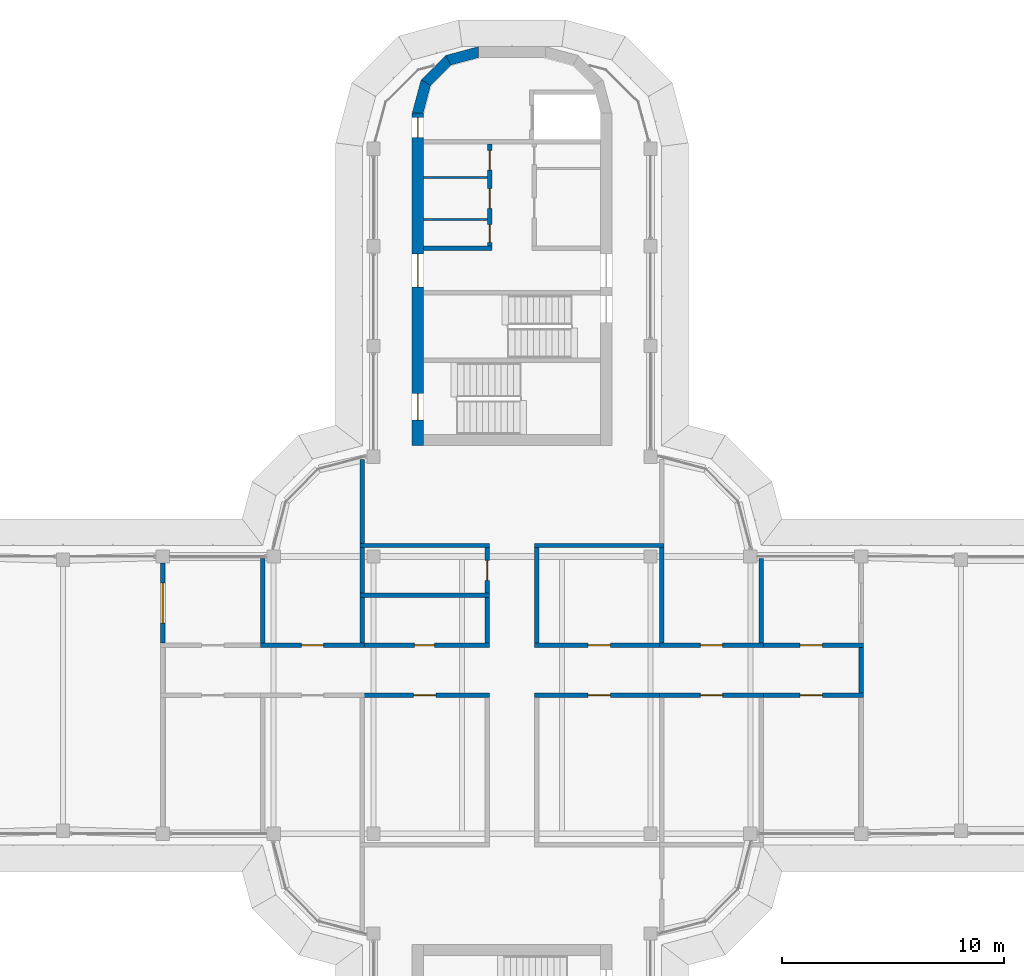
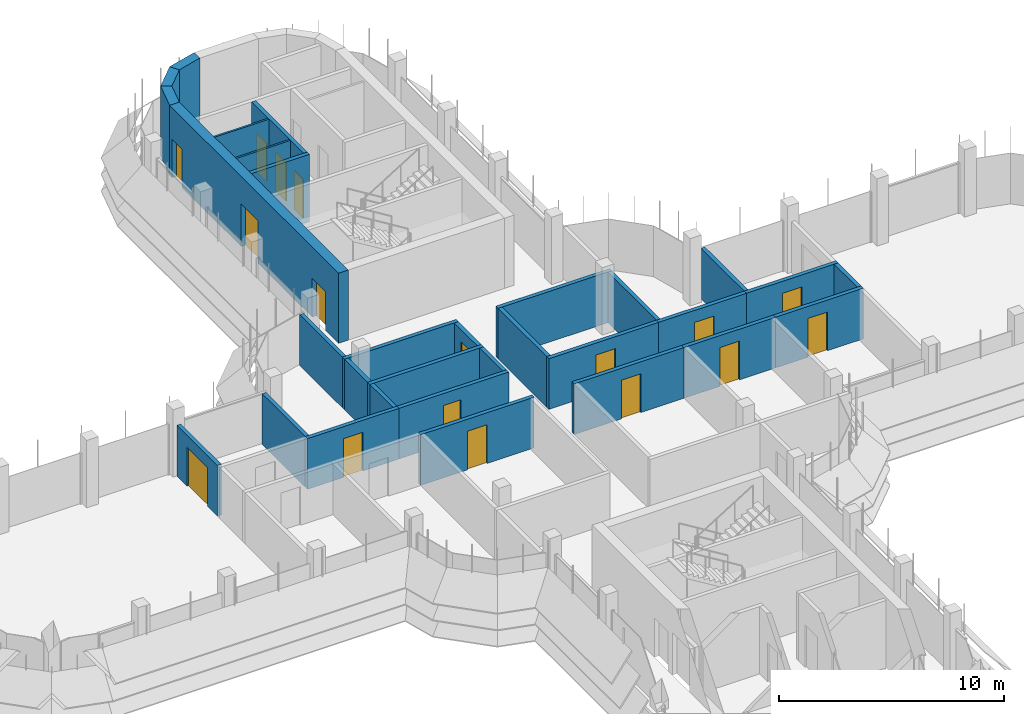
# One storey, part 14 of 19: 31 walls, 17 doors, 17 openings.
"""IFC4 building model written with IfcOpenShell, lengths in metres."""

from ifc_helpers import new_model, si_unit, direction, frame, frame_2d, origin, place, context, subcontext, project, spatial, polyline, rectangle, outline, extrude, material, layer, layer_set, type_object, element, fill, save


model = new_model("IFC4")

# Units and contexts
model_context = context("Model", 3, precision=1e-05, world=origin(), true_north=direction((0.0, 1.0)))
body_context = subcontext(model_context, "Body", "Model", "MODEL_VIEW")
ifc_project = project(units=[si_unit("LENGTHUNIT", "METRE"), si_unit("AREAUNIT", "SQUARE_METRE"), si_unit("VOLUMEUNIT", "CUBIC_METRE"), si_unit("PLANEANGLEUNIT", "RADIAN"), si_unit("MASSUNIT", "GRAM", prefix="KILO")], contexts=[model_context])

# Site, building, storey
site_placement = place(None, origin())
site = spatial("IfcSite", under=ifc_project, at=site_placement, CompositionType="ELEMENT")
building_placement = place(site_placement, origin())
building = spatial("IfcBuilding", under=site, at=building_placement, Name="Zarbagh Exchange Tower", CompositionType="ELEMENT")
storey_placement = place(building_placement, frame((0.0, 0.0, 253.60009765625)))
storey = spatial("IfcBuildingStorey", under=building, at=storey_placement, Name="L62", CompositionType="ELEMENT", Elevation=253.60009765625)

# Walls
ifc_material_1 = material(Name="Dense blockwork", Category="masonry")
ifc_layer_1 = layer(ifc_material_1, 0.10009765625)
ifc_layer_set_1 = layer_set([ifc_layer_1], Name="Core partition 100 mm blockwork")
wall_type_1 = type_object("IfcWallType", Name="Core partition 100 mm blockwork", PredefinedType="PARTITIONING", material=ifc_layer_set_1)
for number, where, z_axis, x_axis, name in (
    (1, (-4.0, 23.35009765625, 0.0), (0.0, 0.0, 1.0), (1.0, 0.0, 0.0), "North core partition wall CUT-W-500"),
    (2, (-4.0, 21.449951171875, 0.0), (0.0, 0.0, 1.0), (1.0, 0.0, 0.0), "North core partition wall CUT-W-690"),
):
    element("IfcWall", number, at=place(storey_placement, frame(where, z_axis=z_axis, x_axis=x_axis)), inside=storey, type_object=wall_type_1, Name=name, PredefinedType="PARTITIONING", context=body_context, shape_type="SweptSolid", body=[
        extrude(rectangle(XDim=2.89990234375, YDim=0.10009765625, at=frame_2d((1.449951171875, 0.0))), origin(), (0.0, 0.0, 1.0), 3.64990234375),
    ])

# Wall, opening, door
ifc_material_2 = material(Name="Fire-rated plasterboard partition")
ifc_layer_2 = layer(ifc_material_2, 0.199951171875)
ifc_layer_set_2 = layer_set([ifc_layer_2], Name="RATED PARTITION 200")
wall_type_2 = type_object("IfcWallType", Name="RATED PARTITION 200", PredefinedType="PARTITIONING", material=ifc_layer_set_2)
wall_1_placement = place(storey_placement, frame((1.02490234375, 2.25, 0.0), z_axis=(0.0, 0.0, 1.0), x_axis=(1.0, 0.0, 0.0)))
wall_1 = element("IfcWall", 3, at=wall_1_placement, inside=storey, type_object=wall_type_2, Name="Partition W-2701", PredefinedType="PARTITIONING", context=body_context, shape_type="SweptSolid", body=[
    extrude(rectangle(XDim=5.8251953125, YDim=0.199951171875, at=frame_2d((2.91259765625, 0.0))), origin(), (0.0, 0.0, 1.0), 2.75),
])
opening_1_placement = place(wall_1_placement, frame((2.41259765625, 0.0, 0.0)))
opening_1 = element("IfcOpeningElement", 4, at=opening_1_placement, cuts=wall_1, Name="Opening D-2704", PredefinedType="OPENING", context=body_context, shape_type="SweptSolid", body=[
    extrude(rectangle(XDim=1.0, YDim=2.10009765625, at=frame_2d((0.5, 1.050048828125))), frame((0.0, 0.10986328125, 0.0), z_axis=(0.0, -1.0, 0.0), x_axis=(1.0, 0.0, 0.0)), (0.0, 0.0, 1.0), 0.219970703125),
])
ifc_material_3 = material(Name="Steel door set", Category="steel")
door_type_1 = type_object("IfcDoorType", Name="FIRE DOOR 1000 X 2100 FD30S", OperationType="NOTDEFINED", PredefinedType="DOOR", material=ifc_material_3)
door_1_placement = place(opening_1_placement, origin())
door_1 = element("IfcDoor", 5, at=door_1_placement, inside=storey, type_object=door_type_1, Name="Door D-2704", OperationType="SINGLE_SWING_RIGHT", OverallHeight=2.10009765625, OverallWidth=1.0, PredefinedType="DOOR", context=body_context, shape_type="SweptSolid", body=[
    extrude(rectangle(XDim=1.0, YDim=2.10009765625, at=frame_2d((0.5, 1.050048828125))), frame((0.0, 0.02490234375, 0.0), z_axis=(0.0, -1.0, 0.0), x_axis=(1.0, 0.0, 0.0)), (0.0, 0.0, 1.0), 0.050048828125),
])
fill(opening_1, door_1)

wall_2_placement = place(storey_placement, frame((6.64990234375, 2.25, 0.0), z_axis=(0.0, 0.0, 1.0), x_axis=(1.0, 0.0, 0.0)))
wall_2 = element("IfcWall", 6, at=wall_2_placement, inside=storey, type_object=wall_type_2, Name="Partition W-2702", PredefinedType="PARTITIONING", context=body_context, shape_type="SweptSolid", body=[
    extrude(rectangle(XDim=4.7001953125, YDim=0.199951171875, at=frame_2d((2.35009765625, 0.0))), origin(), (0.0, 0.0, 1.0), 2.75),
])
opening_2_placement = place(wall_2_placement, frame((1.85009765625, 0.0, 0.0)))
opening_2 = element("IfcOpeningElement", 7, at=opening_2_placement, cuts=wall_2, Name="Opening D-2705", PredefinedType="OPENING", context=body_context, shape_type="SweptSolid", body=[
    extrude(rectangle(XDim=1.0, YDim=2.10009765625, at=frame_2d((0.5, 1.050048828125))), frame((0.0, 0.10986328125, 0.0), z_axis=(0.0, -1.0, 0.0), x_axis=(1.0, 0.0, 0.0)), (0.0, 0.0, 1.0), 0.219970703125),
])
door_2_placement = place(opening_2_placement, origin())
door_2 = element("IfcDoor", 8, at=door_2_placement, inside=storey, type_object=door_type_1, Name="Door D-2705", OperationType="SINGLE_SWING_RIGHT", OverallHeight=2.10009765625, OverallWidth=1.0, PredefinedType="DOOR", context=body_context, shape_type="SweptSolid", body=[
    extrude(rectangle(XDim=1.0, YDim=2.10009765625, at=frame_2d((0.5, 1.050048828125))), frame((0.0, 0.02490234375, 0.0), z_axis=(0.0, -1.0, 0.0), x_axis=(1.0, 0.0, 0.0)), (0.0, 0.0, 1.0), 0.050048828125),
])
fill(opening_2, door_2)

wall_3_placement = place(storey_placement, frame((-6.85009765625, 2.25, 0.0), z_axis=(0.0, 0.0, 1.0), x_axis=(1.0, 0.0, 0.0)))
wall_3 = element("IfcWall", 9, at=wall_3_placement, inside=storey, type_object=wall_type_2, Name="Partition W-2703", PredefinedType="PARTITIONING", context=body_context, shape_type="SweptSolid", body=[
    extrude(rectangle(XDim=5.8251953125, YDim=0.199951171875, at=frame_2d((2.91259765625, 0.0))), origin(), (0.0, 0.0, 1.0), 2.75),
])
opening_3_placement = place(wall_3_placement, frame((2.46240234375, 0.0, 0.0)))
opening_3 = element("IfcOpeningElement", 10, at=opening_3_placement, cuts=wall_3, Name="Opening D-2706", PredefinedType="OPENING", context=body_context, shape_type="SweptSolid", body=[
    extrude(rectangle(XDim=0.89990234375, YDim=2.10009765625, at=frame_2d((0.449951171875, 1.050048828125))), frame((0.0, 0.10986328125, 0.0), z_axis=(0.0, -1.0, 0.0), x_axis=(1.0, 0.0, 0.0)), (0.0, 0.0, 1.0), 0.219970703125),
])
ifc_material_4 = material(Name="Timber door leaf", Category="wood")
door_type_2 = type_object("IfcDoorType", Name="DOOR 900 X 2100", OperationType="NOTDEFINED", PredefinedType="DOOR", material=ifc_material_4)
door_3_placement = place(opening_3_placement, origin())
door_3 = element("IfcDoor", 11, at=door_3_placement, inside=storey, type_object=door_type_2, Name="Door D-2706", OperationType="SINGLE_SWING_RIGHT", OverallHeight=2.10009765625, OverallWidth=0.89990234375, PredefinedType="DOOR", context=body_context, shape_type="SweptSolid", body=[
    extrude(rectangle(XDim=0.89990234375, YDim=2.10009765625, at=frame_2d((0.449951171875, 1.050048828125))), frame((0.0, 0.02490234375, 0.0), z_axis=(0.0, -1.0, 0.0), x_axis=(1.0, 0.0, 0.0)), (0.0, 0.0, 1.0), 0.050048828125),
])
fill(opening_3, door_3)

wall_4_placement = place(storey_placement, frame((-11.35009765625, 2.25, 0.0), z_axis=(0.0, 0.0, 1.0), x_axis=(1.0, 0.0, 0.0)))
wall_4 = element("IfcWall", 12, at=wall_4_placement, inside=storey, type_object=wall_type_2, Name="Partition W-2704", PredefinedType="PARTITIONING", context=body_context, shape_type="SweptSolid", body=[
    extrude(rectangle(XDim=4.7001953125, YDim=0.199951171875, at=frame_2d((2.35009765625, 0.0))), origin(), (0.0, 0.0, 1.0), 2.75),
])
opening_4_placement = place(wall_4_placement, frame((1.85009765625, 0.0, 0.0)))
opening_4 = element("IfcOpeningElement", 13, at=opening_4_placement, cuts=wall_4, Name="Opening D-2708", PredefinedType="OPENING", context=body_context, shape_type="SweptSolid", body=[
    extrude(rectangle(XDim=1.0, YDim=2.10009765625, at=frame_2d((0.5, 1.050048828125))), frame((0.0, 0.10986328125, 0.0), z_axis=(0.0, -1.0, 0.0), x_axis=(1.0, 0.0, 0.0)), (0.0, 0.0, 1.0), 0.219970703125),
])
door_4_placement = place(opening_4_placement, origin())
door_4 = element("IfcDoor", 14, at=door_4_placement, inside=storey, type_object=door_type_1, Name="Door D-2708", OperationType="SINGLE_SWING_RIGHT", OverallHeight=2.10009765625, OverallWidth=1.0, PredefinedType="DOOR", context=body_context, shape_type="SweptSolid", body=[
    extrude(rectangle(XDim=1.0, YDim=2.10009765625, at=frame_2d((0.5, 1.050048828125))), frame((0.0, 0.02490234375, 0.0), z_axis=(0.0, -1.0, 0.0), x_axis=(1.0, 0.0, 0.0)), (0.0, 0.0, 1.0), 0.050048828125),
])
fill(opening_4, door_4)

wall_5_placement = place(storey_placement, frame((6.85009765625, 0.0, 0.0), z_axis=(0.0, 0.0, 1.0), x_axis=(-1.0, 0.0, 0.0)))
wall_5 = element("IfcWall", 15, at=wall_5_placement, inside=storey, type_object=wall_type_2, Name="Partition W-2705", PredefinedType="PARTITIONING", context=body_context, shape_type="SweptSolid", body=[
    extrude(rectangle(XDim=5.8251953125, YDim=0.199951171875, at=frame_2d((2.91259765625, 0.0))), origin(), (0.0, 0.0, 1.0), 2.75),
])
opening_5_placement = place(wall_5_placement, frame((2.41259765625, 0.0, 0.0)))
opening_5 = element("IfcOpeningElement", 16, at=opening_5_placement, cuts=wall_5, Name="Opening D-2709", PredefinedType="OPENING", context=body_context, shape_type="SweptSolid", body=[
    extrude(rectangle(XDim=1.0, YDim=2.10009765625, at=frame_2d((0.5, 1.050048828125))), frame((0.0, 0.10986328125, 0.0), z_axis=(0.0, -1.0, 0.0), x_axis=(1.0, 0.0, 0.0)), (0.0, 0.0, 1.0), 0.219970703125),
])
door_5_placement = place(opening_5_placement, origin())
door_5 = element("IfcDoor", 17, at=door_5_placement, inside=storey, type_object=door_type_1, Name="Door D-2709", OperationType="SINGLE_SWING_RIGHT", OverallHeight=2.10009765625, OverallWidth=1.0, PredefinedType="DOOR", context=body_context, shape_type="SweptSolid", body=[
    extrude(rectangle(XDim=1.0, YDim=2.10009765625, at=frame_2d((0.5, 1.050048828125))), frame((0.0, 0.02490234375, 0.0), z_axis=(0.0, -1.0, 0.0), x_axis=(1.0, 0.0, 0.0)), (0.0, 0.0, 1.0), 0.050048828125),
])
fill(opening_5, door_5)

wall_6_placement = place(storey_placement, frame((11.35009765625, 0.0, 0.0), z_axis=(0.0, 0.0, 1.0), x_axis=(-1.0, 0.0, 0.0)))
wall_6 = element("IfcWall", 18, at=wall_6_placement, inside=storey, type_object=wall_type_2, Name="Partition W-2706", PredefinedType="PARTITIONING", context=body_context, shape_type="SweptSolid", body=[
    extrude(rectangle(XDim=4.7001953125, YDim=0.199951171875, at=frame_2d((2.35009765625, 0.0))), origin(), (0.0, 0.0, 1.0), 2.75),
])
opening_6_placement = place(wall_6_placement, frame((1.85009765625, 0.0, 0.0)))
opening_6 = element("IfcOpeningElement", 19, at=opening_6_placement, cuts=wall_6, Name="Opening D-2710", PredefinedType="OPENING", context=body_context, shape_type="SweptSolid", body=[
    extrude(rectangle(XDim=1.0, YDim=2.10009765625, at=frame_2d((0.5, 1.050048828125))), frame((0.0, 0.10986328125, 0.0), z_axis=(0.0, -1.0, 0.0), x_axis=(1.0, 0.0, 0.0)), (0.0, 0.0, 1.0), 0.219970703125),
])
door_6_placement = place(opening_6_placement, origin())
door_6 = element("IfcDoor", 20, at=door_6_placement, inside=storey, type_object=door_type_1, Name="Door D-2710", OperationType="SINGLE_SWING_RIGHT", OverallHeight=2.10009765625, OverallWidth=1.0, PredefinedType="DOOR", context=body_context, shape_type="SweptSolid", body=[
    extrude(rectangle(XDim=1.0, YDim=2.10009765625, at=frame_2d((0.5, 1.050048828125))), frame((0.0, 0.02490234375, 0.0), z_axis=(0.0, -1.0, 0.0), x_axis=(1.0, 0.0, 0.0)), (0.0, 0.0, 1.0), 0.050048828125),
])
fill(opening_6, door_6)

wall_7_placement = place(storey_placement, frame((-1.02490234375, 0.0, 0.0), z_axis=(0.0, 0.0, 1.0), x_axis=(-1.0, 0.0, 0.0)))
wall_7 = element("IfcWall", 21, at=wall_7_placement, inside=storey, type_object=wall_type_2, Name="Partition W-2707", PredefinedType="PARTITIONING", context=body_context, shape_type="SweptSolid", body=[
    extrude(rectangle(XDim=5.8251953125, YDim=0.199951171875, at=frame_2d((2.91259765625, 0.0))), origin(), (0.0, 0.0, 1.0), 2.75),
])
opening_7_placement = place(wall_7_placement, frame((2.41259765625, 0.0, 0.0)))
opening_7 = element("IfcOpeningElement", 22, at=opening_7_placement, cuts=wall_7, Name="Opening D-2712", PredefinedType="OPENING", context=body_context, shape_type="SweptSolid", body=[
    extrude(rectangle(XDim=1.0, YDim=2.10009765625, at=frame_2d((0.5, 1.050048828125))), frame((0.0, 0.10986328125, 0.0), z_axis=(0.0, -1.0, 0.0), x_axis=(1.0, 0.0, 0.0)), (0.0, 0.0, 1.0), 0.219970703125),
])
door_7_placement = place(opening_7_placement, origin())
door_7 = element("IfcDoor", 23, at=door_7_placement, inside=storey, type_object=door_type_1, Name="Door D-2712", OperationType="SINGLE_SWING_RIGHT", OverallHeight=2.10009765625, OverallWidth=1.0, PredefinedType="DOOR", context=body_context, shape_type="SweptSolid", body=[
    extrude(rectangle(XDim=1.0, YDim=2.10009765625, at=frame_2d((0.5, 1.050048828125))), frame((0.0, 0.02490234375, 0.0), z_axis=(0.0, -1.0, 0.0), x_axis=(1.0, 0.0, 0.0)), (0.0, 0.0, 1.0), 0.050048828125),
])
fill(opening_7, door_7)

wall_8_placement = place(storey_placement, frame((11.14990234375, 2.25, 0.0), z_axis=(0.0, 0.0, 1.0), x_axis=(1.0, 0.0, 0.0)))
wall_8 = element("IfcWall", 24, at=wall_8_placement, inside=storey, type_object=wall_type_2, Name="Partition W-2709", PredefinedType="PARTITIONING", context=body_context, shape_type="SweptSolid", body=[
    extrude(rectangle(XDim=4.7001953125, YDim=0.199951171875, at=frame_2d((2.35009765625, 0.0))), origin(), (0.0, 0.0, 1.0), 2.75),
])
opening_8_placement = place(wall_8_placement, frame((1.85009765625, 0.0, 0.0)))
opening_8 = element("IfcOpeningElement", 25, at=opening_8_placement, cuts=wall_8, Name="Opening D-2702", PredefinedType="OPENING", context=body_context, shape_type="SweptSolid", body=[
    extrude(rectangle(XDim=1.0, YDim=2.10009765625, at=frame_2d((0.5, 1.050048828125))), frame((0.0, 0.10986328125, 0.0), z_axis=(0.0, -1.0, 0.0), x_axis=(1.0, 0.0, 0.0)), (0.0, 0.0, 1.0), 0.219970703125),
])
door_8_placement = place(opening_8_placement, origin())
door_8 = element("IfcDoor", 26, at=door_8_placement, inside=storey, type_object=door_type_1, Name="Door D-2702", OperationType="SINGLE_SWING_RIGHT", OverallHeight=2.10009765625, OverallWidth=1.0, PredefinedType="DOOR", context=body_context, shape_type="SweptSolid", body=[
    extrude(rectangle(XDim=1.0, YDim=2.10009765625, at=frame_2d((0.5, 1.050048828125))), frame((0.0, 0.02490234375, 0.0), z_axis=(0.0, -1.0, 0.0), x_axis=(1.0, 0.0, 0.0)), (0.0, 0.0, 1.0), 0.050048828125),
])
fill(opening_8, door_8)

wall_9_placement = place(storey_placement, frame((15.85009765625, 0.0, 0.0), z_axis=(0.0, 0.0, 1.0), x_axis=(-1.0, 0.0, 0.0)))
wall_9 = element("IfcWall", 27, at=wall_9_placement, inside=storey, type_object=wall_type_2, Name="Partition W-2710", PredefinedType="PARTITIONING", context=body_context, shape_type="SweptSolid", body=[
    extrude(rectangle(XDim=4.7001953125, YDim=0.199951171875, at=frame_2d((2.35009765625, 0.0))), origin(), (0.0, 0.0, 1.0), 2.75),
])
opening_9_placement = place(wall_9_placement, frame((1.85009765625, 0.0, 0.0)))
opening_9 = element("IfcOpeningElement", 28, at=opening_9_placement, cuts=wall_9, Name="Opening D-2703", PredefinedType="OPENING", context=body_context, shape_type="SweptSolid", body=[
    extrude(rectangle(XDim=1.0, YDim=2.10009765625, at=frame_2d((0.5, 1.050048828125))), frame((0.0, 0.10986328125, 0.0), z_axis=(0.0, -1.0, 0.0), x_axis=(1.0, 0.0, 0.0)), (0.0, 0.0, 1.0), 0.219970703125),
])
door_9_placement = place(opening_9_placement, origin())
door_9 = element("IfcDoor", 29, at=door_9_placement, inside=storey, type_object=door_type_1, Name="Door D-2703", OperationType="SINGLE_SWING_RIGHT", OverallHeight=2.10009765625, OverallWidth=1.0, PredefinedType="DOOR", context=body_context, shape_type="SweptSolid", body=[
    extrude(rectangle(XDim=1.0, YDim=2.10009765625, at=frame_2d((0.5, 1.050048828125))), frame((0.0, 0.02490234375, 0.0), z_axis=(0.0, -1.0, 0.0), x_axis=(1.0, 0.0, 0.0)), (0.0, 0.0, 1.0), 0.050048828125),
])
fill(opening_9, door_9)

# Walls
wall_10_placement = place(storey_placement, frame((15.75, 0.10009765625, 0.0), z_axis=(0.0, 0.0, 1.0), x_axis=(0.0, 1.0, 0.0)))
element("IfcWall", 30, at=wall_10_placement, inside=storey, type_object=wall_type_2, Name="Partition W-2711", PredefinedType="PARTITIONING", context=body_context, shape_type="SweptSolid", body=[
    extrude(rectangle(XDim=2.0498046875, YDim=0.199951171875, at=frame_2d((1.02490234375, 0.0))), origin(), (0.0, 0.0, 1.0), 2.75),
])
wall_11_placement = place(storey_placement, frame((1.125, 2.35009765625, 0.0), z_axis=(0.0, 0.0, 1.0), x_axis=(0.0, 1.0, 0.0)))
element("IfcWall", 31, at=wall_11_placement, inside=storey, type_object=wall_type_2, Name="Partition W-2715", PredefinedType="PARTITIONING", context=body_context, shape_type="SweptSolid", body=[
    extrude(rectangle(XDim=4.2998046875, YDim=0.199951171875, at=frame_2d((2.14990234375, 0.0))), origin(), (0.0, 0.0, 1.0), 2.75),
])
wall_12_placement = place(storey_placement, frame((-1.125, 2.35009765625, 0.0), z_axis=(0.0, 0.0, 1.0), x_axis=(0.0, 1.0, 0.0)))
element("IfcWall", 32, at=wall_12_placement, inside=storey, type_object=wall_type_2, Name="Partition W-2716", PredefinedType="PARTITIONING", context=body_context, shape_type="SweptSolid", body=[
    extrude(rectangle(XDim=2.0498046875, YDim=0.199951171875, at=frame_2d((1.02490234375, 0.0))), origin(), (0.0, 0.0, 1.0), 2.75),
])

# Wall, opening, door
wall_13_placement = place(storey_placement, frame((-1.125, 4.60009765625, 0.0), z_axis=(0.0, 0.0, 1.0), x_axis=(0.0, 1.0, 0.0)))
wall_13 = element("IfcWall", 33, at=wall_13_placement, inside=storey, type_object=wall_type_2, Name="Partition W-2717", PredefinedType="PARTITIONING", context=body_context, shape_type="SweptSolid", body=[
    extrude(rectangle(XDim=2.0498046875, YDim=0.199951171875, at=frame_2d((1.02490234375, 0.0))), origin(), (0.0, 0.0, 1.0), 2.75),
])
opening_10_placement = place(wall_13_placement, frame((0.574951171875, 0.0, 0.0)))
opening_10 = element("IfcOpeningElement", 34, at=opening_10_placement, cuts=wall_13, Name="Opening D-2707", PredefinedType="OPENING", context=body_context, shape_type="SweptSolid", body=[
    extrude(rectangle(XDim=0.89990234375, YDim=2.10009765625, at=frame_2d((0.449951171875, 1.050048828125))), frame((0.0, 0.10986328125, 0.0), z_axis=(0.0, -1.0, 0.0), x_axis=(1.0, 0.0, 0.0)), (0.0, 0.0, 1.0), 0.219970703125),
])
door_10_placement = place(opening_10_placement, origin())
door_10 = element("IfcDoor", 35, at=door_10_placement, inside=storey, type_object=door_type_2, Name="Door D-2707", OperationType="SINGLE_SWING_RIGHT", OverallHeight=2.10009765625, OverallWidth=0.89990234375, PredefinedType="DOOR", context=body_context, shape_type="SweptSolid", body=[
    extrude(rectangle(XDim=0.89990234375, YDim=2.10009765625, at=frame_2d((0.449951171875, 1.050048828125))), frame((0.0, 0.02490234375, 0.0), z_axis=(0.0, -1.0, 0.0), x_axis=(1.0, 0.0, 0.0)), (0.0, 0.0, 1.0), 0.050048828125),
])
fill(opening_10, door_10)

# Walls
for number, where, z_axis, x_axis, name in (
    (36, (1.02490234375, 6.75, 0.0), (0.0, 0.0, 1.0), (1.0, 0.0, 0.0), "Partition W-2720"),
    (37, (-6.85009765625, 6.75, 0.0), (0.0, 0.0, 1.0), (1.0, 0.0, 0.0), "Partition W-2722"),
):
    element("IfcWall", number, at=place(storey_placement, frame(where, z_axis=z_axis, x_axis=x_axis)), inside=storey, type_object=wall_type_2, Name=name, PredefinedType="PARTITIONING", context=body_context, shape_type="SweptSolid", body=[
        extrude(rectangle(XDim=5.8251953125, YDim=0.199951171875, at=frame_2d((2.91259765625, 0.0))), origin(), (0.0, 0.0, 1.0), 2.75),
    ])
wall_14_placement = place(storey_placement, frame((-6.75, 6.85009765625, 0.0), z_axis=(0.0, 0.0, 1.0), x_axis=(0.0, 1.0, 0.0)))
element("IfcWall", 38, at=wall_14_placement, inside=storey, type_object=wall_type_2, Name="Partition W-2723", PredefinedType="PARTITIONING", context=body_context, shape_type="SweptSolid", body=[
    extrude(rectangle(XDim=3.77978515625, YDim=0.199951171875, at=frame_2d((1.889892578125, 0.0))), origin(), (0.0, 0.0, 1.0), 2.75),
])
wall_15_placement = place(storey_placement, frame((6.75, 2.35009765625, 0.0), z_axis=(0.0, 0.0, 1.0), x_axis=(0.0, 1.0, 0.0)))
element("IfcWall", 39, at=wall_15_placement, inside=storey, type_object=wall_type_2, Name="Partition W-2728", PredefinedType="PARTITIONING", context=body_context, shape_type="SweptSolid", body=[
    extrude(rectangle(XDim=4.2998046875, YDim=0.199951171875, at=frame_2d((2.14990234375, 0.0))), origin(), (0.0, 0.0, 1.0), 2.75),
])
wall_16_placement = place(storey_placement, frame((11.25, 2.35009765625, 0.0), z_axis=(0.0, 0.0, 1.0), x_axis=(0.0, 1.0, 0.0)))
element("IfcWall", 40, at=wall_16_placement, inside=storey, type_object=wall_type_2, Name="Partition W-2729", PredefinedType="PARTITIONING", context=body_context, shape_type="SweptSolid", body=[
    extrude(rectangle(XDim=3.81982421875, YDim=0.199951171875, at=frame_2d((1.909912109375, 0.0))), origin(), (0.0, 0.0, 1.0), 2.75),
])
wall_17_placement = place(storey_placement, frame((-6.85009765625, 4.5, 0.0), z_axis=(0.0, 0.0, 1.0), x_axis=(1.0, 0.0, 0.0)))
element("IfcWall", 41, at=wall_17_placement, inside=storey, type_object=wall_type_2, Name="Partition W-2730", PredefinedType="PARTITIONING", context=body_context, shape_type="SweptSolid", body=[
    extrude(rectangle(XDim=5.8251953125, YDim=0.199951171875, at=frame_2d((2.91259765625, 0.0))), origin(), (0.0, 0.0, 1.0), 2.75),
])
for number, where, z_axis, x_axis, name in (
    (42, (-6.75, 2.35009765625, 0.0), (0.0, 0.0, 1.0), (0.0, 1.0, 0.0), "Partition W-2731"),
    (43, (-6.75, 4.60009765625, 0.0), (0.0, 0.0, 1.0), (0.0, 1.0, 0.0), "Partition W-2732"),
):
    element("IfcWall", number, at=place(storey_placement, frame(where, z_axis=z_axis, x_axis=x_axis)), inside=storey, type_object=wall_type_2, Name=name, PredefinedType="PARTITIONING", context=body_context, shape_type="SweptSolid", body=[
        extrude(rectangle(XDim=2.0498046875, YDim=0.199951171875, at=frame_2d((1.02490234375, 0.0))), origin(), (0.0, 0.0, 1.0), 2.75),
    ])
wall_18_placement = place(storey_placement, frame((-11.25, 2.35009765625, 0.0), z_axis=(0.0, 0.0, 1.0), x_axis=(0.0, 1.0, 0.0)))
element("IfcWall", 44, at=wall_18_placement, inside=storey, type_object=wall_type_2, Name="Partition W-2733", PredefinedType="PARTITIONING", context=body_context, shape_type="SweptSolid", body=[
    extrude(rectangle(XDim=3.81982421875, YDim=0.199951171875, at=frame_2d((1.909912109375, 0.0))), origin(), (0.0, 0.0, 1.0), 2.75),
])

# Wall, opening, door
wall_19_placement = place(storey_placement, frame((-15.75, 2.35009765625, 0.0), z_axis=(0.0, 0.0, 1.0), x_axis=(0.0, 1.0, 0.0)))
wall_19 = element("IfcWall", 45, at=wall_19_placement, inside=storey, type_object=wall_type_2, Name="Partition W-2741", PredefinedType="PARTITIONING", context=body_context, shape_type="SweptSolid", body=[
    extrude(rectangle(XDim=3.599853515625, YDim=0.199951171875, at=frame_2d((1.7998046875, 0.0))), origin(), (0.0, 0.0, 1.0), 2.75),
])
opening_11_placement = place(wall_19_placement, frame((0.89990234375, 0.0, 0.0)))
opening_11 = element("IfcOpeningElement", 46, at=opening_11_placement, cuts=wall_19, Name="Opening D-2714", PredefinedType="OPENING", context=body_context, shape_type="SweptSolid", body=[
    extrude(rectangle(XDim=1.800048828125, YDim=2.10009765625, at=frame_2d((0.89990234375, 1.050048828125))), frame((0.0, 0.10986328125, 0.0), z_axis=(0.0, -1.0, 0.0), x_axis=(1.0, 0.0, 0.0)), (0.0, 0.0, 1.0), 0.219970703125),
])
door_type_3 = type_object("IfcDoorType", Name="FIRE DOUBLE DOOR 1800 X 2100 FD30S", OperationType="DOUBLE_DOOR_SINGLE_SWING", PredefinedType="DOOR", material=ifc_material_3)
door_11_placement = place(opening_11_placement, origin())
door_11 = element("IfcDoor", 47, at=door_11_placement, inside=storey, type_object=door_type_3, Name="Door D-2714", OperationType="DOUBLE_DOOR_SINGLE_SWING", OverallHeight=2.10009765625, OverallWidth=1.800048828125, PredefinedType="DOOR", context=body_context, shape_type="SweptSolid", body=[
    extrude(rectangle(XDim=1.800048828125, YDim=2.10009765625, at=frame_2d((0.89990234375, 1.050048828125))), frame((0.0, 0.02490234375, 0.0), z_axis=(0.0, -1.0, 0.0), x_axis=(1.0, 0.0, 0.0)), (0.0, 0.0, 1.0), 0.050048828125),
])
fill(opening_11, door_11)

# Walls
ifc_material_5 = material(Name="Concrete C40/50", Category="concrete")
ifc_layer_3 = layer(ifc_material_5, 0.5)
ifc_layer_set_3 = layer_set([ifc_layer_3], Name="RC core corner wall 500 C40/50")
wall_type_3 = type_object("IfcWallType", Name="RC core corner wall 500 C40/50", PredefinedType="SHEAR", material=ifc_layer_set_3)
wall_20_placement = place(storey_placement, origin())
element("IfcWall", 48, at=wall_20_placement, inside=storey, type_object=wall_type_3, Name="CW10 core N corner W", PredefinedType="SHEAR", context=body_context, shape_type="SweptSolid", body=[
    extrude(outline(polyline([(-4.5, 26.25), (-4.09814453125, 27.75), (-3.6650390625, 27.5), (-4.0, 26.25), (-4.5, 26.25)])), origin(), (0.0, 0.0, 1.0), 3.7998046875),
])
wall_21_placement = place(storey_placement, origin())
element("IfcWall", 49, at=wall_21_placement, inside=storey, type_object=wall_type_3, Name="CW10 core N corner W", PredefinedType="SHEAR", context=body_context, shape_type="SweptSolid", body=[
    extrude(outline(polyline([(-4.09814453125, 27.75), (-3.0, 28.84814453125), (-2.75, 28.4150390625), (-3.6650390625, 27.5), (-4.09814453125, 27.75)])), origin(), (0.0, 0.0, 1.0), 3.7998046875),
])
wall_22_placement = place(storey_placement, origin())
element("IfcWall", 50, at=wall_22_placement, inside=storey, type_object=wall_type_3, Name="CW10 core N corner W", PredefinedType="SHEAR", context=body_context, shape_type="SweptSolid", body=[
    extrude(outline(polyline([(-3.0, 28.84814453125), (-1.5, 29.25), (-1.5, 28.75), (-2.75, 28.4150390625), (-3.0, 28.84814453125)])), origin(), (0.0, 0.0, 1.0), 3.7998046875),
])

# Wall, openings, doors
ifc_layer_4 = layer(ifc_material_5, 0.5)
ifc_layer_set_4 = layer_set([ifc_layer_4], Name="RC core wall 500 C40/50")
wall_type_4 = type_object("IfcWallType", Name="RC core wall 500 C40/50", PredefinedType="SHEAR", material=ifc_layer_set_4)
wall_23_placement = place(storey_placement, frame((-4.25, 11.25, 0.0), z_axis=(0.0, 0.0, 1.0), x_axis=(0.0, 1.0, 0.0)))
wall_23 = element("IfcWall", 51, at=wall_23_placement, inside=storey, type_object=wall_type_4, Name="CW9 core N W", PredefinedType="SHEAR", context=body_context, shape_type="SweptSolid", body=[
    extrude(rectangle(XDim=15.0, YDim=0.5, at=frame_2d((7.5, 0.0))), origin(), (0.0, 0.0, 1.0), 3.7998046875),
])
opening_12_placement = place(wall_23_placement, frame((7.14990234375, 0.0, 0.0)))
opening_12 = element("IfcOpeningElement", 52, at=opening_12_placement, cuts=wall_23, Name="Opening CD1-1500", PredefinedType="OPENING", context=body_context, shape_type="SweptSolid", body=[
    extrude(rectangle(XDim=1.5, YDim=2.300048828125, at=frame_2d((0.75, 1.14990234375))), frame((0.0, 0.260009765625, 0.0), z_axis=(0.0, -1.0, 0.0), x_axis=(1.0, 0.0, 0.0)), (0.0, 0.0, 1.0), 0.52001953125),
])
opening_13_placement = place(wall_23_placement, frame((13.89990234375, 0.0, 0.0)))
opening_13 = element("IfcOpeningElement", 53, at=opening_13_placement, cuts=wall_23, Name="Opening CD2-900", PredefinedType="OPENING", context=body_context, shape_type="SweptSolid", body=[
    extrude(rectangle(XDim=0.89990234375, YDim=2.10009765625, at=frame_2d((0.449951171875, 1.050048828125))), frame((0.0, 0.260009765625, 0.0), z_axis=(0.0, -1.0, 0.0), x_axis=(1.0, 0.0, 0.0)), (0.0, 0.0, 1.0), 0.52001953125),
])
opening_14_placement = place(wall_23_placement, frame((1.14990234375, 0.0, 0.0)))
opening_14 = element("IfcOpeningElement", 54, at=opening_14_placement, cuts=wall_23, Name="Opening SD1-1200", PredefinedType="OPENING", context=body_context, shape_type="SweptSolid", body=[
    extrude(rectangle(XDim=1.199951171875, YDim=2.10009765625, at=frame_2d((0.60009765625, 1.050048828125))), frame((0.0, 0.260009765625, 0.0), z_axis=(0.0, -1.0, 0.0), x_axis=(1.0, 0.0, 0.0)), (0.0, 0.0, 1.0), 0.52001953125),
])
ifc_material_6 = material(Name="Steel", Category="steel")
door_type_4 = type_object("IfcDoorType", Name="Exit stair door 1200 x 2100", OperationType="NOTDEFINED", PredefinedType="DOOR", material=ifc_material_6)
door_12_placement = place(opening_14_placement, origin())
door_12 = element("IfcDoor", 55, at=door_12_placement, inside=storey, type_object=door_type_4, Name="North core stair door ST2", OperationType="SINGLE_SWING_RIGHT", OverallHeight=2.10009765625, OverallWidth=1.199951171875, PredefinedType="DOOR", context=body_context, shape_type="SweptSolid", body=[
    extrude(rectangle(XDim=1.199951171875, YDim=2.10009765625, at=frame_2d((0.60009765625, 1.050048828125))), frame((0.0, 0.02490234375, 0.0), z_axis=(0.0, -1.0, 0.0), x_axis=(1.0, 0.0, 0.0)), (0.0, 0.0, 1.0), 0.050048828125),
])
fill(opening_14, door_12)
door_type_5 = type_object("IfcDoorType", Name="Firefighting lobby door 900 x 2100", OperationType="NOTDEFINED", PredefinedType="DOOR", material=ifc_material_6)
door_13_placement = place(opening_13_placement, origin())
door_13 = element("IfcDoor", 56, at=door_13_placement, inside=storey, type_object=door_type_5, Name="North core firefighting lobby door FF-W", OperationType="SINGLE_SWING_LEFT", OverallHeight=2.10009765625, OverallWidth=0.89990234375, PredefinedType="DOOR", context=body_context, shape_type="SweptSolid", body=[
    extrude(rectangle(XDim=0.89990234375, YDim=2.10009765625, at=frame_2d((0.449951171875, 1.050048828125))), frame((0.0, 0.02490234375, 0.0), z_axis=(0.0, -1.0, 0.0), x_axis=(1.0, 0.0, 0.0)), (0.0, 0.0, 1.0), 0.050048828125),
])
fill(opening_13, door_13)
door_type_6 = type_object("IfcDoorType", Name="Lift lobby double door 1500 x 2300", OperationType="NOTDEFINED", PredefinedType="DOOR", material=ifc_material_6)
door_14_placement = place(opening_12_placement, origin())
door_14 = element("IfcDoor", 57, at=door_14_placement, inside=storey, type_object=door_type_6, Name="North core lift lobby door LOBBY-W", OperationType="DOUBLE_DOOR_SINGLE_SWING", OverallHeight=2.300048828125, OverallWidth=1.5, PredefinedType="DOOR", context=body_context, shape_type="SweptSolid", body=[
    extrude(rectangle(XDim=1.5, YDim=2.300048828125, at=frame_2d((0.75, 1.14990234375))), frame((0.0, 0.02490234375, 0.0), z_axis=(0.0, -1.0, 0.0), x_axis=(1.0, 0.0, 0.0)), (0.0, 0.0, 1.0), 0.050048828125),
])
fill(opening_12, door_14)

# Wall
ifc_layer_5 = layer(ifc_material_1, 0.199951171875)
ifc_layer_set_5 = layer_set([ifc_layer_5], Name="Shaft wall 200 mm blockwork")
wall_type_5 = type_object("IfcWallType", Name="Shaft wall 200 mm blockwork", PredefinedType="PARTITIONING", material=ifc_layer_set_5)
wall_24_placement = place(storey_placement, frame((-4.0, 20.14990234375, 0.0), z_axis=(0.0, 0.0, 1.0), x_axis=(1.0, 0.0, 0.0)))
element("IfcWall", 58, at=wall_24_placement, inside=storey, type_object=wall_type_5, Name="North core shaft wall AB-W", PredefinedType="PARTITIONING", context=body_context, shape_type="SweptSolid", body=[
    extrude(rectangle(XDim=3.10009765625, YDim=0.199951171875, at=frame_2d((1.550048828125, 0.0))), origin(), (0.0, 0.0, 1.0), 3.64990234375),
])

# Wall, openings, doors
wall_25_placement = place(storey_placement, frame((-1.0, 24.85009765625, 0.0), z_axis=(0.0, 0.0, 1.0), x_axis=(0.0, -1.0, 0.0)))
wall_25 = element("IfcWall", 59, at=wall_25_placement, inside=storey, type_object=wall_type_5, Name="North core shaft wall LW-W", PredefinedType="PARTITIONING", context=body_context, shape_type="SweptSolid", body=[
    extrude(rectangle(XDim=4.60009765625, YDim=0.199951171875, at=frame_2d((2.300048828125, 0.0))), origin(), (0.0, 0.0, 1.0), 3.64990234375),
])
opening_15_placement = place(wall_25_placement, frame((0.27490234375, 0.0, 0.0)))
opening_15 = element("IfcOpeningElement", 60, at=opening_15_placement, cuts=wall_25, Name="Opening CD3-900", PredefinedType="OPENING", context=body_context, shape_type="SweptSolid", body=[
    extrude(rectangle(XDim=0.89990234375, YDim=2.10009765625, at=frame_2d((0.449951171875, 1.050048828125))), frame((0.0, 0.10986328125, 0.0), z_axis=(0.0, -1.0, 0.0), x_axis=(1.0, 0.0, 0.0)), (0.0, 0.0, 1.0), 0.219970703125),
])
opening_16_placement = place(wall_25_placement, frame((2.0, 0.0, 0.0)))
opening_16 = element("IfcOpeningElement", 61, at=opening_16_placement, cuts=wall_25, Name="Opening CD3-900", PredefinedType="OPENING", context=body_context, shape_type="SweptSolid", body=[
    extrude(rectangle(XDim=0.89990234375, YDim=2.10009765625, at=frame_2d((0.449951171875, 1.050048828125))), frame((0.0, 0.10986328125, 0.0), z_axis=(0.0, -1.0, 0.0), x_axis=(1.0, 0.0, 0.0)), (0.0, 0.0, 1.0), 0.219970703125),
])
opening_17_placement = place(wall_25_placement, frame((3.625, 0.0, 0.0)))
opening_17 = element("IfcOpeningElement", 62, at=opening_17_placement, cuts=wall_25, Name="Opening CD3-800", PredefinedType="OPENING", context=body_context, shape_type="SweptSolid", body=[
    extrude(rectangle(XDim=0.800048828125, YDim=2.10009765625, at=frame_2d((0.39990234375, 1.050048828125))), frame((0.0, 0.10986328125, 0.0), z_axis=(0.0, -1.0, 0.0), x_axis=(1.0, 0.0, 0.0)), (0.0, 0.0, 1.0), 0.219970703125),
])
door_type_7 = type_object("IfcDoorType", Name="Core room door 800 x 2100", OperationType="NOTDEFINED", PredefinedType="DOOR", material=ifc_material_6)
door_15_placement = place(opening_17_placement, origin())
door_15 = element("IfcDoor", 63, at=door_15_placement, inside=storey, type_object=door_type_7, Name="North core IT room door RD-W-2", OperationType="SINGLE_SWING_RIGHT", OverallHeight=2.10009765625, OverallWidth=0.800048828125, PredefinedType="DOOR", context=body_context, shape_type="SweptSolid", body=[
    extrude(rectangle(XDim=0.800048828125, YDim=2.10009765625, at=frame_2d((0.39990234375, 1.050048828125))), frame((0.0, 0.02490234375, 0.0), z_axis=(0.0, -1.0, 0.0), x_axis=(1.0, 0.0, 0.0)), (0.0, 0.0, 1.0), 0.050048828125),
])
fill(opening_17, door_15)
door_type_8 = type_object("IfcDoorType", Name="Core room door 900 x 2100", OperationType="NOTDEFINED", PredefinedType="DOOR", material=ifc_material_6)
door_16_placement = place(opening_15_placement, origin())
door_16 = element("IfcDoor", 64, at=door_16_placement, inside=storey, type_object=door_type_8, Name="North core Cleaner's store door RD-W-0", OperationType="SINGLE_SWING_LEFT", OverallHeight=2.10009765625, OverallWidth=0.89990234375, PredefinedType="DOOR", context=body_context, shape_type="SweptSolid", body=[
    extrude(rectangle(XDim=0.89990234375, YDim=2.10009765625, at=frame_2d((0.449951171875, 1.050048828125))), frame((0.0, 0.02490234375, 0.0), z_axis=(0.0, -1.0, 0.0), x_axis=(1.0, 0.0, 0.0)), (0.0, 0.0, 1.0), 0.050048828125),
])
fill(opening_15, door_16)
door_17_placement = place(opening_16_placement, origin())
door_17 = element("IfcDoor", 65, at=door_17_placement, inside=storey, type_object=door_type_8, Name="North core Pantry door RD-W-1", OperationType="SINGLE_SWING_LEFT", OverallHeight=2.10009765625, OverallWidth=0.89990234375, PredefinedType="DOOR", context=body_context, shape_type="SweptSolid", body=[
    extrude(rectangle(XDim=0.89990234375, YDim=2.10009765625, at=frame_2d((0.449951171875, 1.050048828125))), frame((0.0, 0.02490234375, 0.0), z_axis=(0.0, -1.0, 0.0), x_axis=(1.0, 0.0, 0.0)), (0.0, 0.0, 1.0), 0.050048828125),
])
fill(opening_16, door_17)

save(model, "model.ifc")
